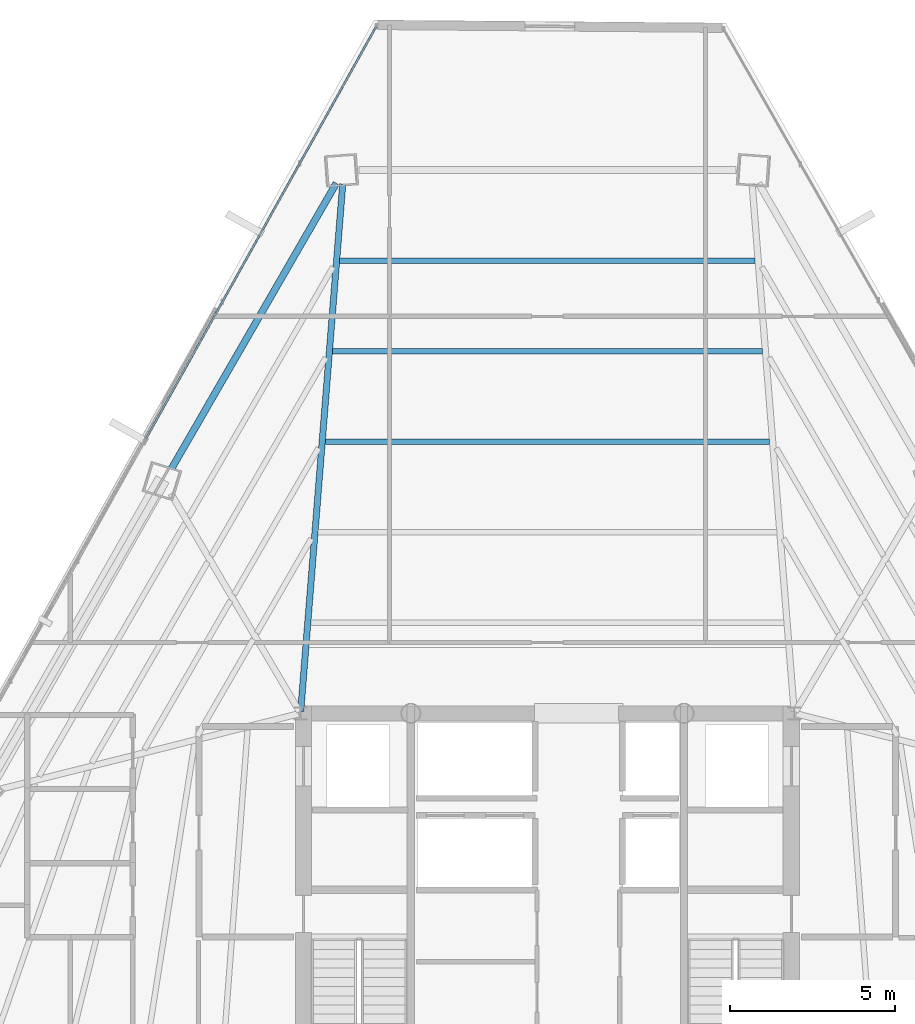
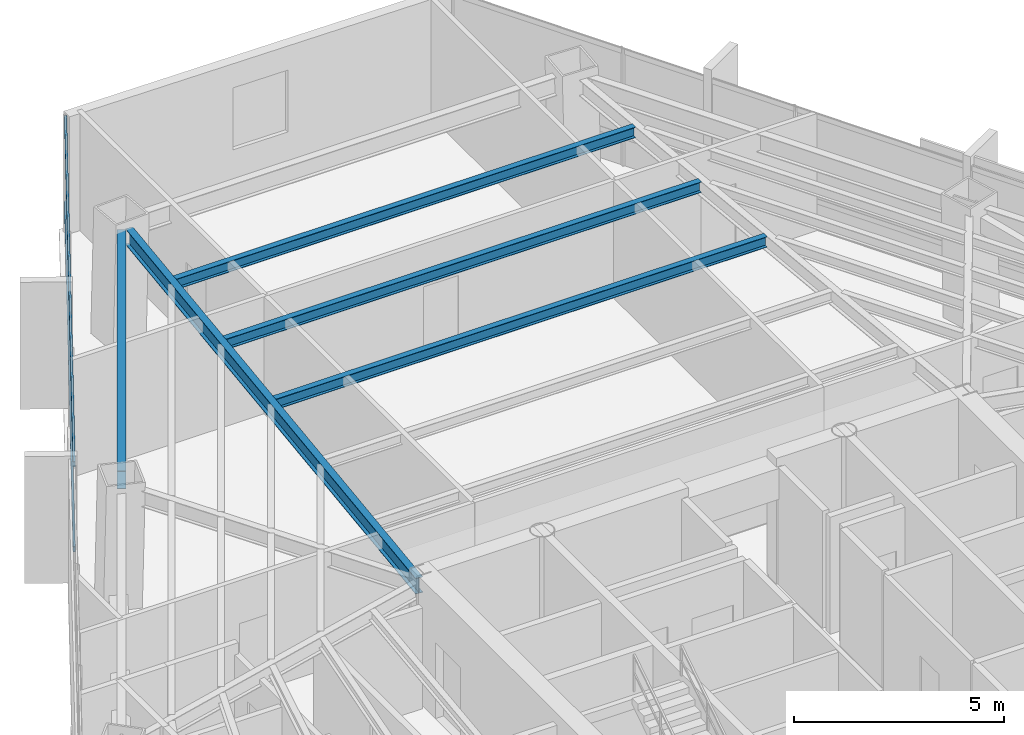
# One storey, part 27 of 38: 5 beams, 2 members, 1 element without a shape of its own.
"""IFC4 building model written with IfcOpenShell, lengths in metres."""

from ifc_helpers import new_model, si_unit, direction, frame, origin, origin_2d, place, context, subcontext, project, spatial, hollow_rectangle, i_section, extrude, source, transform, mapped, material, material_profile, profile_set, type_object, type_shapes, element, aggregate, save


model = new_model("IFC4")

# Units and contexts
model_context = context("Model", 3, precision=1e-05, world=origin(), true_north=direction((0.0, 1.0)))
body_context = subcontext(model_context, "Body", "Model", "MODEL_VIEW")
ifc_project = project(units=[si_unit("LENGTHUNIT", "METRE"), si_unit("AREAUNIT", "SQUARE_METRE"), si_unit("VOLUMEUNIT", "CUBIC_METRE"), si_unit("PLANEANGLEUNIT", "RADIAN"), si_unit("MASSUNIT", "GRAM", prefix="KILO")], contexts=[model_context])

# Site, building, storey
site_placement = place(None, origin())
site = spatial("IfcSite", under=ifc_project, at=site_placement, CompositionType="ELEMENT")
building_placement = place(site_placement, origin())
building = spatial("IfcBuilding", under=site, at=building_placement, Name="Caelisora Broadcast Tower", CompositionType="ELEMENT")
storey_placement = place(building_placement, frame((0.0, 0.0, 154.85009765625)))
storey = spatial("IfcBuildingStorey", under=building, at=storey_placement, Name="L40", CompositionType="ELEMENT", Elevation=154.85009765625)

# Beams
ifc_material_1 = material(Name="Steel Grade 350 (AS/NZS 3679.1)", Category="steel")
ifc_material_profile_1 = material_profile(ifc_material_1, i_section(OverallWidth=0.208984375, OverallDepth=0.532958984375, WebThickness=0.01025390625, FlangeThickness=0.015625, at=origin_2d()), Name="Steel Grade 350 (AS/NZS 3679.1)")
ifc_profile_set_1 = profile_set([ifc_material_profile_1], Name="Steel Grade 350 (AS/NZS 3679.1)")
beam_type_1 = type_object("IfcBeamType", Name="PG05", PredefinedType="BEAM", material=ifc_profile_set_1)
shared_shape_1 = source(origin(), body_context, "Body", "SweptSolid", [
    extrude(i_section(OverallWidth=0.208984375, OverallDepth=0.532958984375, WebThickness=0.01025390625, FlangeThickness=0.015625, at=origin_2d()), origin(), (0.0, 0.0, 1.0), 10.01025390625),
])
type_shapes(beam_type_1, [shared_shape_1])
beam_1_placement = place(storey_placement, frame((31.58544921875, 46.10400390625, 3.13330078125), z_axis=(-0.499997609114, -0.866026784159, 0.0), x_axis=(0.866026784159, -0.499997609114, 0.0)))
element("IfcBeam", 1, at=beam_1_placement, inside=storey, type_object=beam_type_1, Name="L40 beam PG05", PredefinedType="BEAM", context=body_context, shape_type="MappedRepresentation", body=[
    mapped(shared_shape_1, transform((0.0, 0.0, 0.0), scale=1.0)),
])
ifc_material_profile_2 = material_profile(ifc_material_1, i_section(OverallWidth=0.19091796875, OverallDepth=0.46044921875, WebThickness=0.010009765625, FlangeThickness=0.01611328125, at=origin_2d()), Name="Steel Grade 350 (AS/NZS 3679.1)")
ifc_profile_set_2 = profile_set([ifc_material_profile_2], Name="Steel Grade 350 (AS/NZS 3679.1)")
beam_type_2 = type_object("IfcBeamType", Name="PG06", PredefinedType="BEAM", material=ifc_profile_set_2)
shared_shape_2 = source(origin(), body_context, "Body", "SweptSolid", [
    extrude(i_section(OverallWidth=0.19091796875, OverallDepth=0.46044921875, WebThickness=0.010009765625, FlangeThickness=0.01611328125, at=origin_2d()), origin(), (0.0, 0.0, 1.0), 16.07470703125),
])
type_shapes(beam_type_2, [shared_shape_2])
beam_2_placement = place(storey_placement, frame((30.5048828125, 30.059814453125, 3.169677734375), z_axis=(0.079447619056, 0.996839042086, 0.0), x_axis=(-0.996839042086, 0.079447619056, 0.0)))
element("IfcBeam", 2, at=beam_2_placement, inside=storey, type_object=beam_type_2, Name="L40 beam PG06", PredefinedType="BEAM", context=body_context, shape_type="MappedRepresentation", body=[
    mapped(shared_shape_2, transform((0.0, 0.0, 0.0), scale=1.0)),
])
ifc_material_profile_3 = material_profile(ifc_material_1, i_section(OverallWidth=0.166015625, OverallDepth=0.30712890625, WebThickness=0.006591796875, FlangeThickness=0.01171875, at=origin_2d()), Name="Steel Grade 350 (AS/NZS 3679.1)")
ifc_profile_set_3 = profile_set([ifc_material_profile_3], Name="Steel Grade 350 (AS/NZS 3679.1)")
beam_type_3 = type_object("IfcBeamType", Name="SB03", PredefinedType="JOIST", material=ifc_profile_set_3)
shared_shape_3 = source(origin(), body_context, "Body", "SweptSolid", [
    extrude(i_section(OverallWidth=0.166015625, OverallDepth=0.30712890625, WebThickness=0.006591796875, FlangeThickness=0.01171875, at=origin_2d()), origin(), (0.0, 0.0, 1.0), 13.4990234375),
])
beam_3_placement = place(storey_placement, frame((44.74951171875, 38.251220703125, 3.246337890625), z_axis=(-1.0, 0.0, 0.0), x_axis=(0.0, -1.0, 0.0)))
element("IfcBeam", 3, at=beam_3_placement, inside=storey, type_object=beam_type_3, Name="L40 beam SB03", PredefinedType="JOIST", context=body_context, shape_type="MappedRepresentation", body=[
    mapped(shared_shape_3, transform((0.0, 0.0, 0.0), scale=1.0)),
])
shared_shape_4 = source(origin(), body_context, "Body", "SweptSolid", [
    extrude(i_section(OverallWidth=0.166015625, OverallDepth=0.30712890625, WebThickness=0.006591796875, FlangeThickness=0.01171875, at=origin_2d()), origin(), (0.0, 0.0, 1.0), 13.060546875),
])
beam_4_placement = place(storey_placement, frame((44.5302734375, 41.001708984375, 3.246337890625), z_axis=(-1.0, 0.0, 0.0), x_axis=(0.0, -1.0, 0.0)))
element("IfcBeam", 4, at=beam_4_placement, inside=storey, type_object=beam_type_3, Name="L40 beam SB03", PredefinedType="JOIST", context=body_context, shape_type="MappedRepresentation", body=[
    mapped(shared_shape_4, transform((0.0, 0.0, 0.0), scale=1.0)),
])
shared_shape_5 = source(origin(), body_context, "Body", "SweptSolid", [
    extrude(i_section(OverallWidth=0.166015625, OverallDepth=0.30712890625, WebThickness=0.006591796875, FlangeThickness=0.01171875, at=origin_2d()), origin(), (0.0, 0.0, 1.0), 12.6220703125),
])
type_shapes(beam_type_3, [shared_shape_3, shared_shape_4, shared_shape_5])
beam_5_placement = place(storey_placement, frame((44.31103515625, 43.751953125, 3.246337890625), z_axis=(-1.0, 0.0, 0.0), x_axis=(0.0, -1.0, 0.0)))
element("IfcBeam", 5, at=beam_5_placement, inside=storey, type_object=beam_type_3, Name="L40 beam SB03", PredefinedType="JOIST", context=body_context, shape_type="MappedRepresentation", body=[
    mapped(shared_shape_5, transform((0.0, 0.0, 0.0), scale=1.0)),
])

# Curtain wall, members
ifc_material_2 = material(Name="Unitised Aluminium and Low-E Glass Curtain Wall", Category="glass")
curtain_wall_type = type_object("IfcCurtainWallType", Name="CW-Z3", PredefinedType="NOTDEFINED", material=ifc_material_2)
curtain_wall_placement = place(storey_placement, origin())
curtain_wall = element("IfcCurtainWall", 6, at=curtain_wall_placement, inside=storey, type_object=curtain_wall_type, Name="L40 curtain wall CW-Z3", PredefinedType="NOTDEFINED")
ifc_material_3 = material(Name="Aluminium 6063-T6 Anodised Terracotta Bronze", Category="aluminium")
ifc_material_profile_4 = material_profile(ifc_material_3, hollow_rectangle(XDim=0.06005859375, YDim=0.14990234375, WallThickness=0.00341796875, at=origin_2d()), Name="Aluminium 6063-T6 Anodised Terracotta Bronze")
ifc_profile_set_4 = profile_set([ifc_material_profile_4], Name="Aluminium 6063-T6 Anodised Terracotta Bronze")
member_type = type_object("IfcMemberType", Name="CWT-02", PredefinedType="USERDEFINED", material=ifc_profile_set_4)
shared_shape_6 = source(origin(), body_context, "Body", "SweptSolid", [
    extrude(hollow_rectangle(XDim=0.06005859375, YDim=0.14990234375, WallThickness=0.00341796875, at=origin_2d()), origin(), (0.0, 0.0, 1.0), 14.35693359375),
])
type_shapes(member_type, [shared_shape_6])
member_1_placement = place(storey_placement, frame((25.798583984375, 38.335205078125, 0.849853515625), z_axis=(0.487639928879, 0.873044844073, 0.0), x_axis=(-0.873044844073, 0.487639928879, 0.0)))
member_1 = element("IfcMember", 7, at=member_1_placement, type_object=member_type, Name="L40-CW-B11 transom #1", ObjectType="TRANSOM", PredefinedType="USERDEFINED", context=body_context, shape_type="MappedRepresentation", body=[
    mapped(shared_shape_6, transform((0.0, 0.0, 0.0), scale=1.0)),
])
member_2_placement = place(storey_placement, frame((25.798583984375, 38.335205078125, 3.31982421875), z_axis=(0.487639928879, 0.873044844073, 0.0), x_axis=(-0.873044844073, 0.487639928879, 0.0)))
member_2 = element("IfcMember", 8, at=member_2_placement, type_object=member_type, Name="L40-CW-B11 transom #2", ObjectType="TRANSOM", PredefinedType="USERDEFINED", context=body_context, shape_type="MappedRepresentation", body=[
    mapped(shared_shape_6, transform((0.0, 0.0, 0.0), scale=1.0)),
])
aggregate(curtain_wall, [member_1, member_2])

save(model, "model.ifc")
